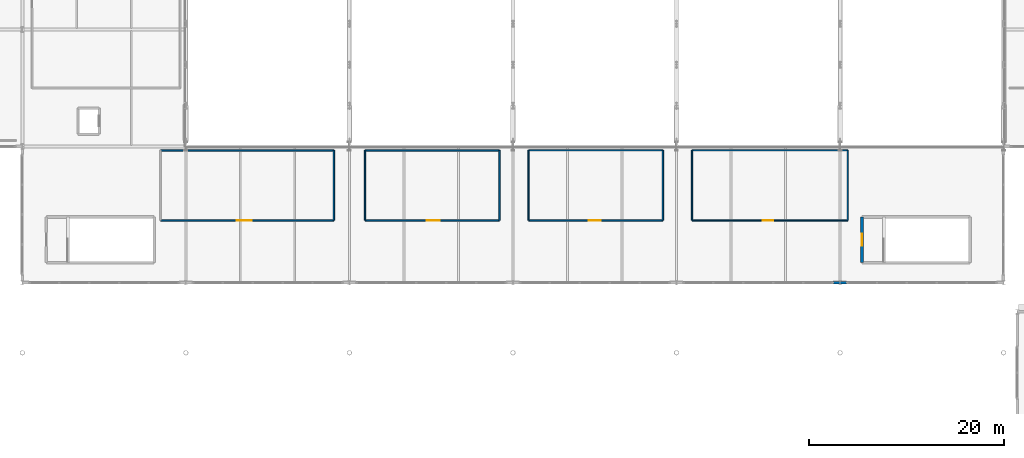
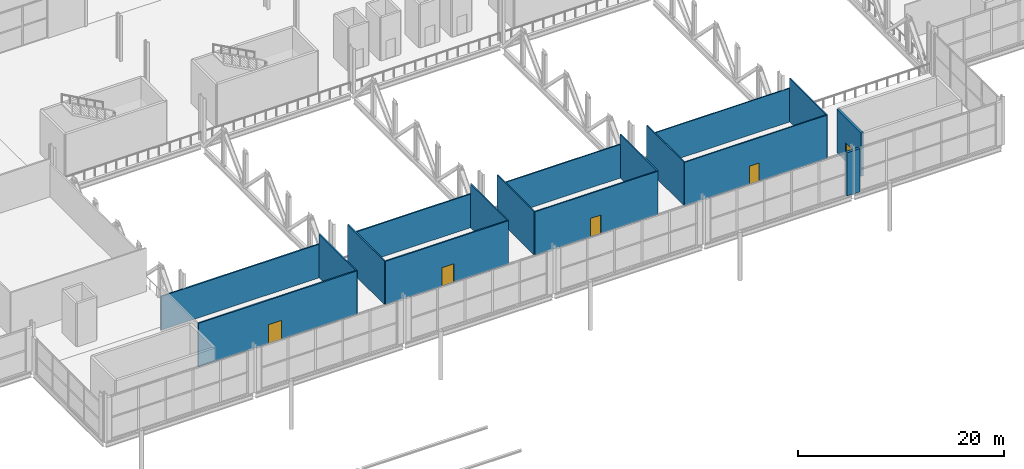
# One storey, part 60 of 84: 18 walls, 5 doors, 5 openings.
"""IFC4 building model written with IfcOpenShell, lengths in metres."""

from ifc_helpers import new_model, si_unit, direction, frame, frame_2d, origin, place, context, subcontext, project, spatial, rectangle, extrude, material, layer, layer_set, type_object, element, fill, save


model = new_model("IFC4")

# Units and contexts
model_context = context("Model", 3, precision=1e-05, world=origin(), true_north=direction((0.0, 1.0)))
body_context = subcontext(model_context, "Body", "Model", "MODEL_VIEW")
ifc_project = project(units=[si_unit("LENGTHUNIT", "METRE"), si_unit("AREAUNIT", "SQUARE_METRE"), si_unit("VOLUMEUNIT", "CUBIC_METRE"), si_unit("PLANEANGLEUNIT", "RADIAN"), si_unit("MASSUNIT", "GRAM", prefix="KILO")], contexts=[model_context])

# Site, building, storey
site_placement = place(None, origin())
site = spatial("IfcSite", under=ifc_project, at=site_placement, CompositionType="ELEMENT")
building_placement = place(site_placement, origin())
building = spatial("IfcBuilding", under=site, at=building_placement, Name="Kimbaza Rail Terminus", CompositionType="ELEMENT")
storey_placement = place(building_placement, frame((0.0, 0.0, 5.39990234375)))
storey = spatial("IfcBuildingStorey", under=building, at=storey_placement, Name="L01", CompositionType="ELEMENT", Elevation=5.39990234375)

# Walls
ifc_material_1 = material(Name="Precast concrete C40/50", Category="concrete")
ifc_layer_1 = layer(ifc_material_1, 0.280029296875)
ifc_layer_set_1 = layer_set([ifc_layer_1], Name="Precast concrete C40/50")
wall_type_1 = type_object("IfcWallType", Name="ARC-WL-EXT280", PredefinedType="STANDARD", material=ifc_layer_set_1)
for number, where, z_axis, x_axis, name in (
    (1, (138.47998046875, 41.0, 0.0), (0.0, 0.0, 1.0), (1.0, 0.0, 0.0), "South Concourse Upper Glazing L01 Bay 5 Corner Pier B"),
    (2, (139.199951171875, 41.0, 0.0), (0.0, 0.0, 1.0), (1.0, 0.0, 0.0), "South Concourse Upper Glazing L01 Bay 6 Corner Pier A"),
):
    element("IfcWall", number, at=place(storey_placement, frame(where, z_axis=z_axis, x_axis=x_axis)), inside=storey, type_object=wall_type_1, Name=name, PredefinedType="STANDARD", context=body_context, shape_type="SweptSolid", body=[
        extrude(rectangle(XDim=0.719970703125, YDim=0.280029296875, at=frame_2d((0.35986328125, 0.0))), origin(), (0.0, 0.0, 1.0), 5.14013671875),
    ])

# Wall, opening, door
ifc_material_2 = material(Name="Acoustic gypsum stud partition", Category="gypsum")
ifc_layer_2 = layer(ifc_material_2, 0.1298828125)
ifc_layer_set_2 = layer_set([ifc_layer_2], Name="Acoustic gypsum stud partition")
wall_type_2 = type_object("IfcWallType", Name="ARC-WL-PART130", PredefinedType="PARTITIONING", material=ifc_layer_set_2)
wall_1_placement = place(storey_placement, frame((124.0, 47.39990234375, 0.0), z_axis=(0.0, 0.0, 1.0), x_axis=(1.0, 0.0, 0.0)))
wall_1 = element("IfcWall", 3, at=wall_1_placement, inside=storey, type_object=wall_type_2, Name="Mezzanine Espresso Bar Partition (south)", PredefinedType="PARTITIONING", context=body_context, shape_type="SweptSolid", body=[
    extrude(rectangle(XDim=16.0, YDim=0.1298828125, at=frame_2d((8.0, 0.0))), origin(), (0.0, 0.0, 1.0), 5.16015625),
])
opening_1_placement = place(wall_1_placement, frame((8.35009765625, 0.0, 0.0), z_axis=(0.0, 0.0, 1.0), x_axis=(-1.0, 0.0, 0.0)))
opening_1 = element("IfcOpeningElement", 4, at=opening_1_placement, cuts=wall_1, Name="Opening ID-04", PredefinedType="OPENING", context=body_context, shape_type="SweptSolid", body=[
    extrude(rectangle(XDim=1.10009765625, YDim=2.14990234375, at=frame_2d((0.550048828125, 1.074951171875))), frame((0.0, 0.074951171875, 0.0), z_axis=(0.0, -1.0, 0.0), x_axis=(1.0, 0.0, 0.0)), (0.0, 0.0, 1.0), 0.14990234375),
])
ifc_material_3 = material(Name="Hardwood veneer acoustic office door", Category="wood")
door_type_1 = type_object("IfcDoorType", Name="ARC-DR-ID110", OperationType="NOTDEFINED", PredefinedType="DOOR", material=ifc_material_3)
door_1_placement = place(opening_1_placement, origin())
door_1 = element("IfcDoor", 5, at=door_1_placement, inside=storey, type_object=door_type_1, Name="IDR-SPC-L01-CAFE", OperationType="SINGLE_SWING_LEFT", OverallHeight=2.14990234375, OverallWidth=1.10009765625, PredefinedType="DOOR", context=body_context, shape_type="SweptSolid", body=[
    extrude(rectangle(XDim=1.10009765625, YDim=2.14990234375, at=frame_2d((0.550048828125, 1.074951171875))), frame((0.0, 0.02490234375, 0.0), z_axis=(0.0, -1.0, 0.0), x_axis=(1.0, 0.0, 0.0)), (0.0, 0.0, 1.0), 0.050048828125),
])
fill(opening_1, door_1)

# Walls
wall_2_placement = place(storey_placement, frame((140.0, 47.39990234375, 0.0), z_axis=(0.0, 0.0, 1.0), x_axis=(0.0, 1.0, 0.0)))
element("IfcWall", 6, at=wall_2_placement, inside=storey, type_object=wall_type_2, Name="Mezzanine Espresso Bar Partition (east)", PredefinedType="PARTITIONING", context=body_context, shape_type="SweptSolid", body=[
    extrude(rectangle(XDim=7.2001953125, YDim=0.1298828125, at=frame_2d((3.60009765625, 0.0))), origin(), (0.0, 0.0, 1.0), 5.16015625),
])
wall_3_placement = place(storey_placement, frame((140.0, 54.60009765625, 0.0), z_axis=(0.0, 0.0, 1.0), x_axis=(-1.0, 0.0, 0.0)))
element("IfcWall", 7, at=wall_3_placement, inside=storey, type_object=wall_type_2, Name="Mezzanine Espresso Bar Partition (north)", PredefinedType="PARTITIONING", context=body_context, shape_type="SweptSolid", body=[
    extrude(rectangle(XDim=16.0, YDim=0.1298828125, at=frame_2d((8.0, 0.0))), origin(), (0.0, 0.0, 1.0), 3.9951171875),
])
wall_4_placement = place(storey_placement, frame((124.0, 54.60009765625, 0.0), z_axis=(0.0, 0.0, 1.0), x_axis=(0.0, -1.0, 0.0)))
element("IfcWall", 8, at=wall_4_placement, inside=storey, type_object=wall_type_2, Name="Mezzanine Espresso Bar Partition (west)", PredefinedType="PARTITIONING", context=body_context, shape_type="SweptSolid", body=[
    extrude(rectangle(XDim=7.2001953125, YDim=0.1298828125, at=frame_2d((3.60009765625, 0.0))), origin(), (0.0, 0.0, 1.0), 5.16015625),
])

# Wall, opening, door
ifc_material_4 = material(Name="Acoustic gypsum stud partition", Category="gypsum")
ifc_layer_3 = layer(ifc_material_4, 0.139892578125)
ifc_layer_set_3 = layer_set([ifc_layer_3], Name="Acoustic gypsum stud partition")
wall_type_3 = type_object("IfcWallType", Name="ARC-WL-PART140", PredefinedType="PARTITIONING", material=ifc_layer_set_3)
wall_5_placement = place(storey_placement, frame((107.199951171875, 47.39990234375, 0.0), z_axis=(0.0, 0.0, 1.0), x_axis=(1.0, 0.0, 0.0)))
wall_5 = element("IfcWall", 9, at=wall_5_placement, inside=storey, type_object=wall_type_3, Name="Currency Exchange and Telecom Kiosk Partition (south)", PredefinedType="PARTITIONING", context=body_context, shape_type="SweptSolid", body=[
    extrude(rectangle(XDim=13.800048828125, YDim=0.139892578125, at=frame_2d((6.89990234375, 0.0))), origin(), (0.0, 0.0, 1.0), 5.16015625),
])
opening_2_placement = place(wall_5_placement, frame((6.199951171875, 0.0, 0.0)))
opening_2 = element("IfcOpeningElement", 10, at=opening_2_placement, cuts=wall_5, Name="Opening ID-03", PredefinedType="OPENING", context=body_context, shape_type="SweptSolid", body=[
    extrude(rectangle(XDim=1.199951171875, YDim=2.199951171875, at=frame_2d((0.60009765625, 1.10009765625))), frame((0.0, 0.079833984375, 0.0), z_axis=(0.0, -1.0, 0.0), x_axis=(1.0, 0.0, 0.0)), (0.0, 0.0, 1.0), 0.159912109375),
])
ifc_material_5 = material(Name="Hardwood veneer acoustic room door", Category="wood")
door_type_2 = type_object("IfcDoorType", Name="ARC-DR-ID120", OperationType="NOTDEFINED", PredefinedType="DOOR", material=ifc_material_5)
door_2_placement = place(opening_2_placement, origin())
door_2 = element("IfcDoor", 11, at=door_2_placement, inside=storey, type_object=door_type_2, Name="IDR-SPC-L01-EXCH", OperationType="SINGLE_SWING_RIGHT", OverallHeight=2.199951171875, OverallWidth=1.199951171875, PredefinedType="DOOR", context=body_context, shape_type="SweptSolid", body=[
    extrude(rectangle(XDim=1.199951171875, YDim=2.199951171875, at=frame_2d((0.60009765625, 1.10009765625))), frame((0.0, 0.02490234375, 0.0), z_axis=(0.0, -1.0, 0.0), x_axis=(1.0, 0.0, 0.0)), (0.0, 0.0, 1.0), 0.050048828125),
])
fill(opening_2, door_2)

# Walls
wall_6_placement = place(storey_placement, frame((121.0, 47.39990234375, 0.0), z_axis=(0.0, 0.0, 1.0), x_axis=(0.0, 1.0, 0.0)))
element("IfcWall", 12, at=wall_6_placement, inside=storey, type_object=wall_type_3, Name="Currency Exchange and Telecom Kiosk Partition (east)", PredefinedType="PARTITIONING", context=body_context, shape_type="SweptSolid", body=[
    extrude(rectangle(XDim=7.2001953125, YDim=0.139892578125, at=frame_2d((3.60009765625, 0.0))), origin(), (0.0, 0.0, 1.0), 5.16015625),
])
wall_7_placement = place(storey_placement, frame((121.0, 54.60009765625, 0.0), z_axis=(0.0, 0.0, 1.0), x_axis=(-1.0, 0.0, 0.0)))
element("IfcWall", 13, at=wall_7_placement, inside=storey, type_object=wall_type_3, Name="Currency Exchange and Telecom Kiosk Partition (north)", PredefinedType="PARTITIONING", context=body_context, shape_type="SweptSolid", body=[
    extrude(rectangle(XDim=13.800048828125, YDim=0.139892578125, at=frame_2d((6.89990234375, 0.0))), origin(), (0.0, 0.0, 1.0), 3.9951171875),
])
wall_8_placement = place(storey_placement, frame((107.199951171875, 54.60009765625, 0.0), z_axis=(0.0, 0.0, 1.0), x_axis=(0.0, -1.0, 0.0)))
element("IfcWall", 14, at=wall_8_placement, inside=storey, type_object=wall_type_3, Name="Currency Exchange and Telecom Kiosk Partition (west)", PredefinedType="PARTITIONING", context=body_context, shape_type="SweptSolid", body=[
    extrude(rectangle(XDim=7.2001953125, YDim=0.139892578125, at=frame_2d((3.60009765625, 0.0))), origin(), (0.0, 0.0, 1.0), 5.16015625),
])

# Wall, opening, door
ifc_material_6 = material(Name="Acoustic gypsum stud partition", Category="gypsum")
ifc_layer_4 = layer(ifc_material_6, 0.14990234375)
ifc_layer_set_4 = layer_set([ifc_layer_4], Name="Acoustic gypsum stud partition")
wall_type_4 = type_object("IfcWallType", Name="ARC-WL-PART150", PredefinedType="PARTITIONING", material=ifc_layer_set_4)
wall_9_placement = place(storey_placement, frame((90.39990234375, 47.39990234375, 0.0), z_axis=(0.0, 0.0, 1.0), x_axis=(1.0, 0.0, 0.0)))
wall_9 = element("IfcWall", 15, at=wall_9_placement, inside=storey, type_object=wall_type_4, Name="Station Travel Pharmacy Partition (south)", PredefinedType="PARTITIONING", context=body_context, shape_type="SweptSolid", body=[
    extrude(rectangle(XDim=13.800048828125, YDim=0.14990234375, at=frame_2d((6.89990234375, 0.0))), origin(), (0.0, 0.0, 1.0), 5.16015625),
])
opening_3_placement = place(wall_9_placement, frame((6.324951171875, 0.0, 0.0)))
opening_3 = element("IfcOpeningElement", 16, at=opening_3_placement, cuts=wall_9, Name="Opening ID-02", PredefinedType="OPENING", context=body_context, shape_type="SweptSolid", body=[
    extrude(rectangle(XDim=1.35009765625, YDim=2.199951171875, at=frame_2d((0.675048828125, 1.10009765625))), frame((0.0, 0.0849609375, 0.0), z_axis=(0.0, -1.0, 0.0), x_axis=(1.0, 0.0, 0.0)), (0.0, 0.0, 1.0), 0.169921875),
])
ifc_material_7 = material(Name="Anodised aluminium glazed lounge door", Category="aluminium")
door_type_3 = type_object("IfcDoorType", Name="ARC-DR-ID135", OperationType="NOTDEFINED", PredefinedType="DOOR", material=ifc_material_7)
door_3_placement = place(opening_3_placement, origin())
door_3 = element("IfcDoor", 17, at=door_3_placement, inside=storey, type_object=door_type_3, Name="IDR-SPC-L01-PHRM", OperationType="SINGLE_SWING_LEFT", OverallHeight=2.199951171875, OverallWidth=1.35009765625, PredefinedType="DOOR", context=body_context, shape_type="SweptSolid", body=[
    extrude(rectangle(XDim=1.35009765625, YDim=2.199951171875, at=frame_2d((0.675048828125, 1.10009765625))), frame((0.0, 0.02490234375, 0.0), z_axis=(0.0, -1.0, 0.0), x_axis=(1.0, 0.0, 0.0)), (0.0, 0.0, 1.0), 0.050048828125),
])
fill(opening_3, door_3)

# Walls
wall_10_placement = place(storey_placement, frame((104.199951171875, 47.39990234375, 0.0), z_axis=(0.0, 0.0, 1.0), x_axis=(0.0, 1.0, 0.0)))
element("IfcWall", 18, at=wall_10_placement, inside=storey, type_object=wall_type_4, Name="Station Travel Pharmacy Partition (east)", PredefinedType="PARTITIONING", context=body_context, shape_type="SweptSolid", body=[
    extrude(rectangle(XDim=7.2001953125, YDim=0.14990234375, at=frame_2d((3.60009765625, 0.0))), origin(), (0.0, 0.0, 1.0), 5.16015625),
])
wall_11_placement = place(storey_placement, frame((104.199951171875, 54.60009765625, 0.0), z_axis=(0.0, 0.0, 1.0), x_axis=(-1.0, 0.0, 0.0)))
element("IfcWall", 19, at=wall_11_placement, inside=storey, type_object=wall_type_4, Name="Station Travel Pharmacy Partition (north)", PredefinedType="PARTITIONING", context=body_context, shape_type="SweptSolid", body=[
    extrude(rectangle(XDim=13.800048828125, YDim=0.14990234375, at=frame_2d((6.89990234375, 0.0))), origin(), (0.0, 0.0, 1.0), 3.9951171875),
])
wall_12_placement = place(storey_placement, frame((90.39990234375, 54.60009765625, 0.0), z_axis=(0.0, 0.0, 1.0), x_axis=(0.0, -1.0, 0.0)))
element("IfcWall", 20, at=wall_12_placement, inside=storey, type_object=wall_type_4, Name="Station Travel Pharmacy Partition (west)", PredefinedType="PARTITIONING", context=body_context, shape_type="SweptSolid", body=[
    extrude(rectangle(XDim=7.2001953125, YDim=0.14990234375, at=frame_2d((3.60009765625, 0.0))), origin(), (0.0, 0.0, 1.0), 5.16015625),
])

# Wall, opening, door
ifc_material_8 = material(Name="Acoustic gypsum stud partition", Category="gypsum")
ifc_layer_5 = layer(ifc_material_8, 0.159912109375)
ifc_layer_set_5 = layer_set([ifc_layer_5], Name="Acoustic gypsum stud partition")
wall_type_5 = type_object("IfcWallType", Name="ARC-WL-PART160", PredefinedType="PARTITIONING", material=ifc_layer_set_5)
wall_13_placement = place(storey_placement, frame((69.39990234375, 47.39990234375, 0.0), z_axis=(0.0, 0.0, 1.0), x_axis=(1.0, 0.0, 0.0)))
wall_13 = element("IfcWall", 21, at=wall_13_placement, inside=storey, type_object=wall_type_5, Name="Rail Travel Bookshop and Press Partition (south)", PredefinedType="PARTITIONING", context=body_context, shape_type="SweptSolid", body=[
    extrude(rectangle(XDim=17.800048828125, YDim=0.159912109375, at=frame_2d((8.89990234375, 0.0))), origin(), (0.0, 0.0, 1.0), 5.16015625),
])
opening_4_placement = place(wall_13_placement, frame((9.35009765625, 0.0, 0.0), z_axis=(0.0, 0.0, 1.0), x_axis=(-1.0, 0.0, 0.0)))
opening_4 = element("IfcOpeningElement", 22, at=opening_4_placement, cuts=wall_13, Name="Opening ID-01", PredefinedType="OPENING", context=body_context, shape_type="SweptSolid", body=[
    extrude(rectangle(XDim=1.5, YDim=2.25, at=frame_2d((0.75, 1.125))), frame((0.0, 0.08984375, 0.0), z_axis=(0.0, -1.0, 0.0), x_axis=(1.0, 0.0, 0.0)), (0.0, 0.0, 1.0), 0.179931640625),
])
ifc_material_9 = material(Name="Anodised aluminium glazed concourse door", Category="aluminium")
door_type_4 = type_object("IfcDoorType", Name="ARC-DR-ID150", OperationType="NOTDEFINED", PredefinedType="DOOR", material=ifc_material_9)
door_4_placement = place(opening_4_placement, origin())
door_4 = element("IfcDoor", 23, at=door_4_placement, inside=storey, type_object=door_type_4, Name="IDR-SPC-L01-BOOK", OperationType="SINGLE_SWING_RIGHT", OverallHeight=2.25, OverallWidth=1.5, PredefinedType="DOOR", context=body_context, shape_type="SweptSolid", body=[
    extrude(rectangle(XDim=1.5, YDim=2.25, at=frame_2d((0.75, 1.125))), frame((0.0, 0.02490234375, 0.0), z_axis=(0.0, -1.0, 0.0), x_axis=(1.0, 0.0, 0.0)), (0.0, 0.0, 1.0), 0.050048828125),
])
fill(opening_4, door_4)

# Walls
wall_14_placement = place(storey_placement, frame((87.199951171875, 47.39990234375, 0.0), z_axis=(0.0, 0.0, 1.0), x_axis=(0.0, 1.0, 0.0)))
element("IfcWall", 24, at=wall_14_placement, inside=storey, type_object=wall_type_5, Name="Rail Travel Bookshop and Press Partition (east)", PredefinedType="PARTITIONING", context=body_context, shape_type="SweptSolid", body=[
    extrude(rectangle(XDim=7.2001953125, YDim=0.159912109375, at=frame_2d((3.60009765625, 0.0))), origin(), (0.0, 0.0, 1.0), 5.16015625),
])
wall_15_placement = place(storey_placement, frame((87.199951171875, 54.60009765625, 0.0), z_axis=(0.0, 0.0, 1.0), x_axis=(-1.0, 0.0, 0.0)))
element("IfcWall", 25, at=wall_15_placement, inside=storey, type_object=wall_type_5, Name="Rail Travel Bookshop and Press Partition (north)", PredefinedType="PARTITIONING", context=body_context, shape_type="SweptSolid", body=[
    extrude(rectangle(XDim=17.800048828125, YDim=0.159912109375, at=frame_2d((8.89990234375, 0.0))), origin(), (0.0, 0.0, 1.0), 3.9951171875),
])

# Wall, opening, door
ifc_material_10 = material(Name="Concrete C40/50", Category="concrete")
ifc_layer_6 = layer(ifc_material_10, 0.280029296875)
ifc_layer_set_6 = layer_set([ifc_layer_6], Name="Concrete C40/50")
wall_type_6 = type_object("IfcWallType", Name="STR-WL-CORE280", PredefinedType="SHEAR", material=ifc_layer_set_6)
wall_16_placement = place(storey_placement, frame((141.4599609375, 47.739990234375, 0.0), z_axis=(0.0, 0.0, 1.0), x_axis=(0.0, -1.0, 0.0)))
wall_16 = element("IfcWall", 26, at=wall_16_placement, inside=storey, type_object=wall_type_6, Name="South Metro Concourse East Stair Shaft Wall L01-4", PredefinedType="SHEAR", context=body_context, shape_type="SweptSolid", body=[
    extrude(rectangle(XDim=4.679931640625, YDim=0.280029296875, at=frame_2d((2.33984375, 0.0))), origin(), (0.0, 0.0, 1.0), 5.14013671875),
])
opening_5_placement = place(wall_16_placement, frame((1.715087890625, 0.0, 0.0)))
opening_5 = element("IfcOpeningElement", 27, at=opening_5_placement, cuts=wall_16, Name="Opening FD-02", PredefinedType="OPENING", context=body_context, shape_type="SweptSolid", body=[
    extrude(rectangle(XDim=1.25, YDim=2.199951171875, at=frame_2d((0.625, 1.10009765625))), frame((0.0, 0.14990234375, 0.0), z_axis=(0.0, -1.0, 0.0), x_axis=(1.0, 0.0, 0.0)), (0.0, 0.0, 1.0), 0.300048828125),
])
ifc_material_11 = material(Name="Galvanised painted steel fire stair door", Category="steel")
door_type_5 = type_object("IfcDoorType", Name="ARC-DR-FD125", OperationType="NOTDEFINED", PredefinedType="DOOR", material=ifc_material_11)
door_5_placement = place(opening_5_placement, origin())
door_5 = element("IfcDoor", 28, at=door_5_placement, inside=storey, type_object=door_type_5, Name="SDR-ST-S2-L01", OperationType="SINGLE_SWING_RIGHT", OverallHeight=2.199951171875, OverallWidth=1.25, PredefinedType="DOOR", context=body_context, shape_type="SweptSolid", body=[
    extrude(rectangle(XDim=1.25, YDim=2.199951171875, at=frame_2d((0.625, 1.10009765625))), frame((0.0, 0.02490234375, 0.0), z_axis=(0.0, -1.0, 0.0), x_axis=(1.0, 0.0, 0.0)), (0.0, 0.0, 1.0), 0.050048828125),
])
fill(opening_5, door_5)

save(model, "model.ifc")
